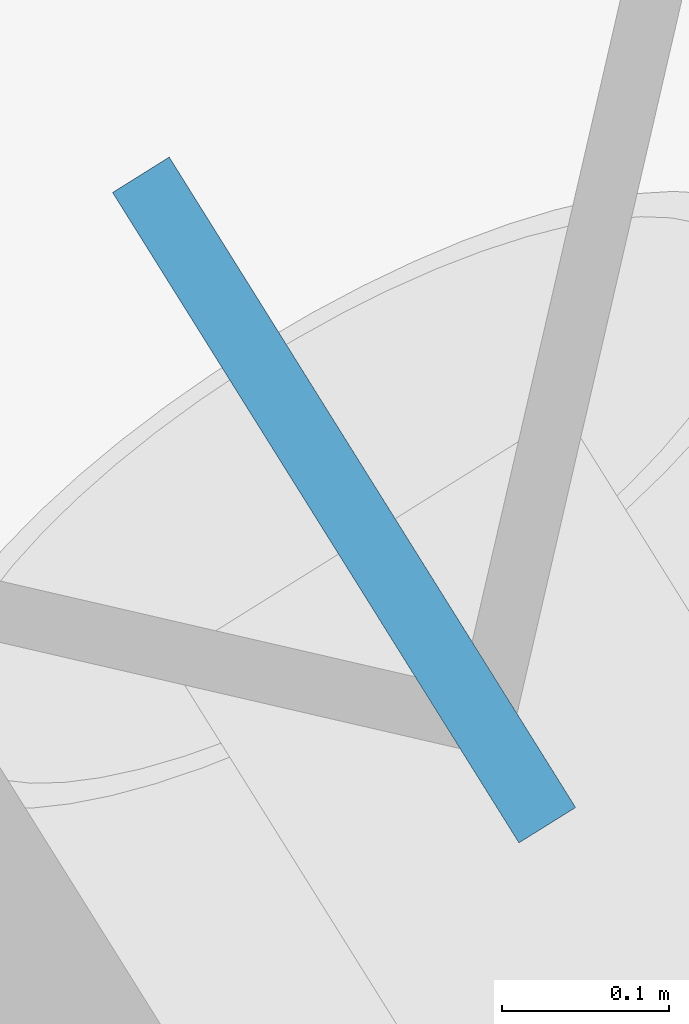
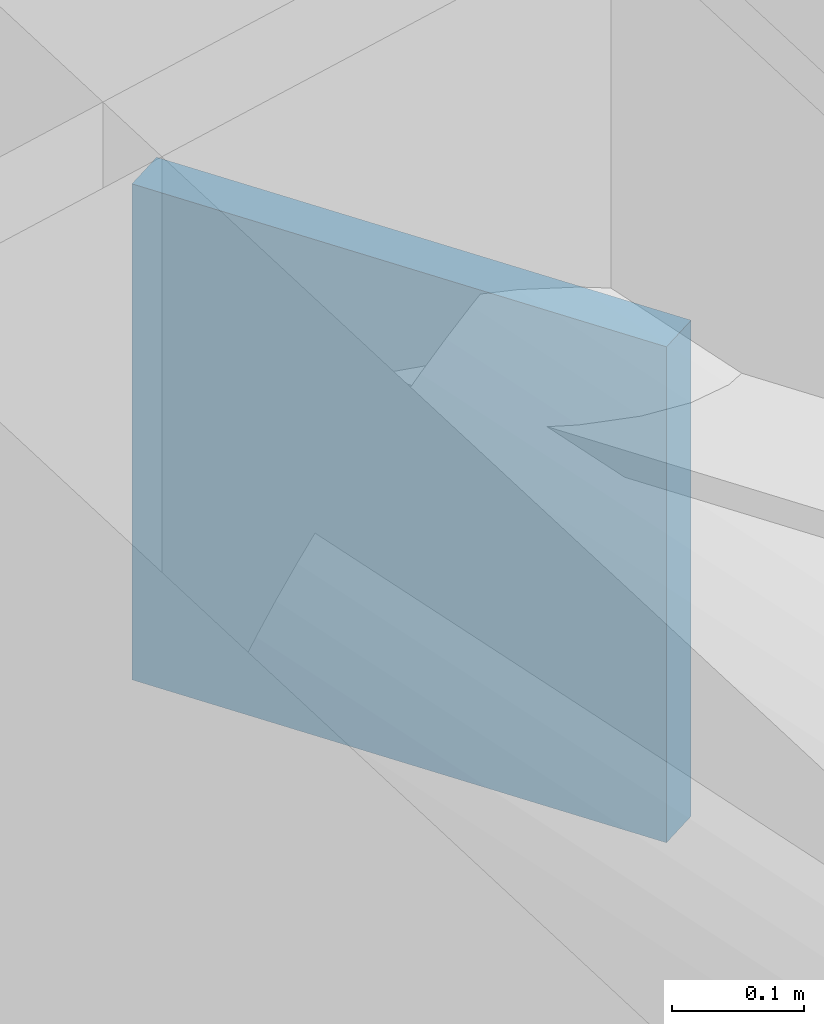
# One storey, part 20 of 21: 1 discrete accessory.
"""IFC4 building model written with IfcOpenShell, lengths in metres."""

from ifc_helpers import new_model, si_unit, direction, frame, origin, origin_2d, place, context, subcontext, project, spatial, rectangle, extrude, material, type_object, element, save


model = new_model("IFC4")

# Units and contexts
model_context = context("Model", 3, precision=1e-05, world=origin(), true_north=direction((0.0, 1.0)))
body_context = subcontext(model_context, "Body", "Model", "MODEL_VIEW")
ifc_project = project(units=[si_unit("LENGTHUNIT", "METRE"), si_unit("AREAUNIT", "SQUARE_METRE"), si_unit("VOLUMEUNIT", "CUBIC_METRE"), si_unit("PLANEANGLEUNIT", "RADIAN"), si_unit("MASSUNIT", "GRAM", prefix="KILO")], contexts=[model_context])

# Site, building, storey
site_placement = place(None, origin())
site = spatial("IfcSite", under=ifc_project, at=site_placement, CompositionType="ELEMENT")
building_placement = place(site_placement, origin())
building = spatial("IfcBuilding", under=site, at=building_placement, Name="Tavrogorsk Clinical Tower", CompositionType="ELEMENT")
storey_placement = place(building_placement, frame((0.0, 0.0, 71.39990234375)))
storey = spatial("IfcBuildingStorey", under=building, at=storey_placement, Name="L15", CompositionType="ELEMENT", Elevation=71.39990234375)

# Discrete accessory
ifc_material = material(Name="Structural steel S440", Category="steel")
discrete_accessory_type = type_object("IfcDiscreteAccessoryType", Name="GussetPlateBracket_25", PredefinedType="BRACKET", material=ifc_material)
discrete_accessory_placement = place(storey_placement, frame((36.65380859375, 14.481689453125, 2.667724609375), z_axis=(0.0, 0.0, 1.0), x_axis=(-0.529919264233, 0.848048096156, 0.0)))
element("IfcDiscreteAccessory", 1, at=discrete_accessory_placement, inside=storey, type_object=discrete_accessory_type, Name="L15 Brace Gusset Plate EXOCRN-L15-2-B", PredefinedType="BRACKET", context=body_context, shape_type="SweptSolid", body=[
    extrude(rectangle(XDim=0.4599609375, YDim=0.0400390625, at=origin_2d()), origin(), (0.0, 0.0, 1.0), 0.4599609375),
])

save(model, "model.ifc")
